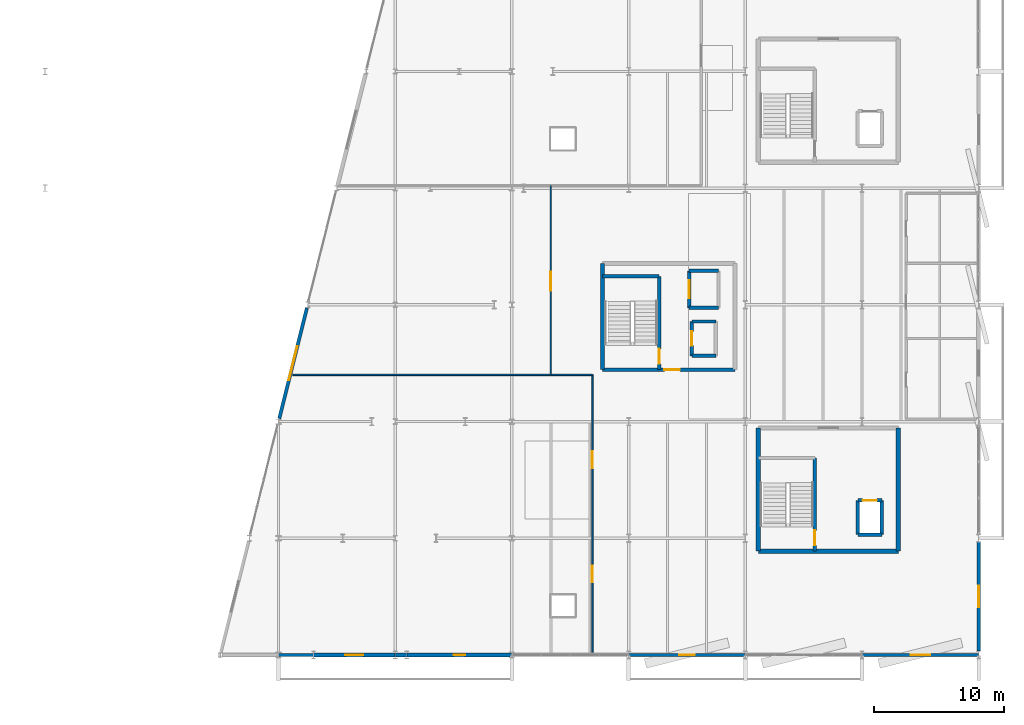
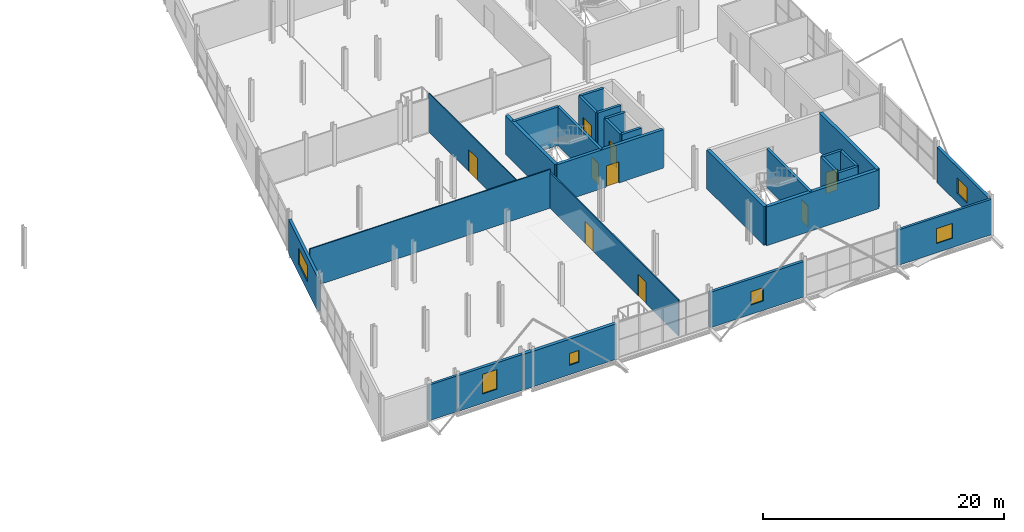
# One storey, part 86 of 103: 29 walls, 9 doors, 6 windows, 15 openings.
"""IFC4 building model written with IfcOpenShell, lengths in metres."""

from ifc_helpers import new_model, si_unit, direction, frame, frame_2d, origin, place, context, subcontext, project, spatial, rectangle, extrude, material, layer, layer_set, type_object, element, fill, save


model = new_model("IFC4")

# Units and contexts
model_context = context("Model", 3, precision=1e-05, world=origin(), true_north=direction((0.0, 1.0)))
body_context = subcontext(model_context, "Body", "Model", "MODEL_VIEW")
ifc_project = project(units=[si_unit("LENGTHUNIT", "METRE"), si_unit("AREAUNIT", "SQUARE_METRE"), si_unit("VOLUMEUNIT", "CUBIC_METRE"), si_unit("PLANEANGLEUNIT", "RADIAN"), si_unit("MASSUNIT", "GRAM", prefix="KILO")], contexts=[model_context])

# Site, building, storey
site_placement = place(None, origin())
site = spatial("IfcSite", under=ifc_project, at=site_placement, CompositionType="ELEMENT")
building_placement = place(site_placement, origin())
building = spatial("IfcBuilding", under=site, at=building_placement, Name="Deido Ridge Mobility Hub", CompositionType="ELEMENT")
storey_placement = place(building_placement, frame((0.0, 0.0, 12.60009765625)))
storey = spatial("IfcBuildingStorey", under=building, at=storey_placement, Name="L03", CompositionType="ELEMENT", Elevation=12.60009765625)

# Wall
ifc_material_1 = material(Name="Powder-coated aluminium cladding EN AW-3003", Category="aluminium")
ifc_layer_1 = layer(ifc_material_1, 0.22509765625, Name="Powder-coated aluminium cladding EN AW-3003")
ifc_layer_set_1 = layer_set([ifc_layer_1], Name="Powder-coated aluminium cladding EN AW-3003")
wall_type_1 = type_object("IfcWallType", Name="WL-EXT-ALU-225", PredefinedType="STANDARD", material=ifc_layer_set_1)
wall_1_placement = place(storey_placement, frame((126.0087890625, 0.0, 0.0), z_axis=(0.0, 0.0, 1.0), x_axis=(1.0, 0.0, 0.0)))
element("IfcWall", 1, at=wall_1_placement, inside=storey, type_object=wall_type_1, Name="Exterior wall EW6", PredefinedType="STANDARD", context=body_context, shape_type="SweptSolid", body=[
    extrude(rectangle(XDim=2.68359375, YDim=0.22509765625, at=frame_2d((1.341796875, 0.0))), origin(), (0.0, 0.0, 1.0), 3.6298828125),
])

# Wall, opening, window
wall_2_placement = place(storey_placement, frame((171.0078125, 0.0, 0.0), z_axis=(0.0, 0.0, 1.0), x_axis=(1.0, 0.0, 0.0)))
wall_2 = element("IfcWall", 2, at=wall_2_placement, inside=storey, type_object=wall_type_1, Name="Exterior wall EW6", PredefinedType="STANDARD", context=body_context, shape_type="SweptSolid", body=[
    extrude(rectangle(XDim=8.984375, YDim=0.22509765625, at=frame_2d((4.4921875, 0.0))), origin(), (0.0, 0.0, 1.0), 3.599853515625),
])
opening_1_placement = place(wall_2_placement, frame((3.7421875, 0.0, 0.949951171875)))
opening_1 = element("IfcOpeningElement", 3, at=opening_1_placement, cuts=wall_2, Name="Opening W5", PredefinedType="OPENING", context=body_context, shape_type="SweptSolid", body=[
    extrude(rectangle(XDim=1.5, YDim=1.5, at=frame_2d((0.75, 0.75))), frame((0.0, 0.12255859375, 0.0), z_axis=(0.0, -1.0, 0.0), x_axis=(1.0, 0.0, 0.0)), (0.0, 0.0, 1.0), 0.2451171875),
])
ifc_material_2 = material(Name="Laminated solar-control low-E glass", Category="glass")
window_type_1 = type_object("IfcWindowType", Name="WN-ALU-1500X1500", PartitioningType="SINGLE_PANEL", PredefinedType="WINDOW", material=ifc_material_2)
window_1_placement = place(opening_1_placement, origin())
window_1 = element("IfcWindow", 4, at=window_1_placement, inside=storey, type_object=window_type_1, Name="Exterior window W5", OverallHeight=1.5, OverallWidth=1.5, PartitioningType="SINGLE_PANEL", PredefinedType="WINDOW", context=body_context, shape_type="SweptSolid", body=[
    extrude(rectangle(XDim=1.5, YDim=1.5, at=frame_2d((0.75, 0.75))), frame((0.0, 0.030029296875, 0.0), z_axis=(0.0, -1.0, 0.0), x_axis=(1.0, 0.0, 0.0)), (0.0, 0.0, 1.0), 0.06005859375),
])
fill(opening_1, window_1)

ifc_material_3 = material(Name="Concrete blockwork masonry", Category="masonry")
ifc_layer_2 = layer(ifc_material_3, 0.264892578125, Name="Concrete blockwork masonry")
ifc_layer_set_2 = layer_set([ifc_layer_2], Name="Concrete blockwork masonry")
wall_type_2 = type_object("IfcWallType", Name="WL-EXT-BLK-265", PredefinedType="STANDARD", material=ifc_layer_set_2)
wall_3_placement = place(storey_placement, frame((153.0078125, 0.0, 0.0), z_axis=(0.0, 0.0, 1.0), x_axis=(1.0, 0.0, 0.0)))
wall_3 = element("IfcWall", 5, at=wall_3_placement, inside=storey, type_object=wall_type_2, Name="Exterior wall EW3", PredefinedType="STANDARD", context=body_context, shape_type="SweptSolid", body=[
    extrude(rectangle(XDim=8.984375, YDim=0.264892578125, at=frame_2d((4.4921875, 0.0))), origin(), (0.0, 0.0, 1.0), 3.599853515625),
])
opening_2_placement = place(wall_3_placement, frame((3.892333984375, 0.0, 0.949951171875)))
opening_2 = element("IfcOpeningElement", 6, at=opening_2_placement, cuts=wall_3, Name="Opening W3", PredefinedType="OPENING", context=body_context, shape_type="SweptSolid", body=[
    extrude(rectangle(XDim=1.199951171875, YDim=1.35009765625, at=frame_2d((0.60009765625, 0.675048828125))), frame((0.0, 0.142578125, 0.0), z_axis=(0.0, -1.0, 0.0), x_axis=(1.0, 0.0, 0.0)), (0.0, 0.0, 1.0), 0.284912109375),
])
window_type_2 = type_object("IfcWindowType", Name="WN-ALU-1200X1350", PartitioningType="SINGLE_PANEL", PredefinedType="WINDOW", material=ifc_material_2)
window_2_placement = place(opening_2_placement, origin())
window_2 = element("IfcWindow", 7, at=window_2_placement, inside=storey, type_object=window_type_2, Name="Exterior window W3", OverallHeight=1.35009765625, OverallWidth=1.199951171875, PartitioningType="SINGLE_PANEL", PredefinedType="WINDOW", context=body_context, shape_type="SweptSolid", body=[
    extrude(rectangle(XDim=1.199951171875, YDim=1.35009765625, at=frame_2d((0.60009765625, 0.675048828125))), frame((0.0, 0.030029296875, 0.0), z_axis=(0.0, -1.0, 0.0), x_axis=(1.0, 0.0, 0.0)), (0.0, 0.0, 1.0), 0.06005859375),
])
fill(opening_2, window_2)

ifc_material_4 = material(Name="Fired clay brick masonry", Category="masonry")
ifc_layer_3 = layer(ifc_material_4, 0.31005859375, Name="Fired clay brick masonry")
ifc_layer_set_3 = layer_set([ifc_layer_3], Name="Fired clay brick masonry")
wall_type_3 = type_object("IfcWallType", Name="WL-EXT-BRK-310", PredefinedType="STANDARD", material=ifc_layer_set_3)
wall_4_placement = place(storey_placement, frame((135.90771484375, 0.0, 0.0), z_axis=(0.0, 0.0, 1.0), x_axis=(1.0, 0.0, 0.0)))
wall_4 = element("IfcWall", 8, at=wall_4_placement, inside=storey, type_object=wall_type_3, Name="Exterior wall EW1", PredefinedType="STANDARD", context=body_context, shape_type="SweptSolid", body=[
    extrude(rectangle(XDim=8.08349609375, YDim=0.31005859375, at=frame_2d((4.041748046875, 0.0))), origin(), (0.0, 0.0, 1.0), 3.599853515625),
])
opening_3_placement = place(wall_4_placement, frame((3.591796875, 0.0, 0.949951171875)))
opening_3 = element("IfcOpeningElement", 9, at=opening_3_placement, cuts=wall_4, Name="Opening W1", PredefinedType="OPENING", context=body_context, shape_type="SweptSolid", body=[
    extrude(rectangle(XDim=0.89990234375, YDim=1.199951171875, at=frame_2d((0.449951171875, 0.60009765625))), frame((0.0, 0.1650390625, 0.0), z_axis=(0.0, -1.0, 0.0), x_axis=(1.0, 0.0, 0.0)), (0.0, 0.0, 1.0), 0.330078125),
])
window_type_3 = type_object("IfcWindowType", Name="WN-ALU-900X1200", PartitioningType="SINGLE_PANEL", PredefinedType="WINDOW", material=ifc_material_2)
window_3_placement = place(opening_3_placement, origin())
window_3 = element("IfcWindow", 10, at=window_3_placement, inside=storey, type_object=window_type_3, Name="Exterior window W1", OverallHeight=1.199951171875, OverallWidth=0.89990234375, PartitioningType="SINGLE_PANEL", PredefinedType="WINDOW", context=body_context, shape_type="SweptSolid", body=[
    extrude(rectangle(XDim=0.89990234375, YDim=1.199951171875, at=frame_2d((0.449951171875, 0.60009765625))), frame((0.0, 0.030029296875, 0.0), z_axis=(0.0, -1.0, 0.0), x_axis=(1.0, 0.0, 0.0)), (0.0, 0.0, 1.0), 0.06005859375),
])
fill(opening_3, window_3)

# Walls
ifc_material_5 = material(Name="Concrete C35/45", Category="concrete")
ifc_layer_4 = layer(ifc_material_5, 0.340087890625, Name="Concrete C35/45")
ifc_layer_set_4 = layer_set([ifc_layer_4], Name="Concrete C35/45")
wall_type_4 = type_object("IfcWallType", Name="WL-EXT-RC-340", PredefinedType="STANDARD", material=ifc_layer_set_4)
wall_5_placement = place(storey_placement, frame((135.0078125, 0.0, 0.0), z_axis=(0.0, 0.0, 1.0), x_axis=(1.0, 0.0, 0.0)))
element("IfcWall", 11, at=wall_5_placement, inside=storey, type_object=wall_type_4, Name="Exterior wall EW5", PredefinedType="STANDARD", context=body_context, shape_type="SweptSolid", body=[
    extrude(rectangle(XDim=0.884521484375, YDim=0.340087890625, at=frame_2d((0.4423828125, 0.0))), origin(), (0.0, 0.0, 1.0), 3.6298828125),
])
ifc_material_6 = material(Name="Treated tropical hardwood timber D40", Category="wood")
ifc_layer_5 = layer(ifc_material_6, 0.114990234375, Name="Treated tropical hardwood timber D40")
ifc_layer_set_5 = layer_set([ifc_layer_5], Name="Treated tropical hardwood timber D40")
wall_type_5 = type_object("IfcWallType", Name="WL-MOV-ACO-115", PredefinedType="MOVABLE", material=ifc_layer_set_5)
wall_6_placement = place(storey_placement, frame((127.10009765625, 21.60009765625, 0.0), z_axis=(0.0, 0.0, 1.0), x_axis=(1.0, 0.0, 0.0)))
element("IfcWall", 12, at=wall_6_placement, inside=storey, type_object=wall_type_5, Name="V6 south-central cross wall (L03)", PredefinedType="MOVABLE", context=body_context, shape_type="SweptSolid", body=[
    extrude(rectangle(XDim=23.099853515625, YDim=0.114990234375, at=frame_2d((11.5498046875, 0.0))), origin(), (0.0, 0.0, 1.0), 3.9248046875),
])

# Wall, opening, window
ifc_layer_6 = layer(ifc_material_3, 0.2548828125, Name="Concrete blockwork masonry")
ifc_layer_set_6 = layer_set([ifc_layer_6], Name="Concrete blockwork masonry")
wall_type_6 = type_object("IfcWallType", Name="WL-PLG-BLK-255", PredefinedType="POLYGONAL", material=ifc_layer_set_6)
wall_7_placement = place(storey_placement, frame((126.05810546875, 18.23193359375, 0.0), z_axis=(0.0, 0.0, 1.0), x_axis=(0.242522544412, 0.970145770208, 0.0)))
wall_7 = element("IfcWall", 13, at=wall_7_placement, inside=storey, type_object=wall_type_6, Name="Exterior wall PGW2", PredefinedType="POLYGONAL", context=body_context, shape_type="SweptSolid", body=[
    extrude(rectangle(XDim=8.783203125, YDim=0.2548828125, at=frame_2d((4.3916015625, 0.0))), origin(), (0.0, 0.0, 1.0), 3.449951171875),
])
opening_4_placement = place(wall_7_placement, frame((3.04150390625, 0.0, 0.949951171875)))
opening_4 = element("IfcOpeningElement", 14, at=opening_4_placement, cuts=wall_7, Name="Opening W13", PredefinedType="OPENING", context=body_context, shape_type="SweptSolid", body=[
    extrude(rectangle(XDim=2.699951171875, YDim=1.60009765625, at=frame_2d((1.35009765625, 0.800048828125))), frame((0.0, 0.137451171875, 0.0), z_axis=(0.0, -1.0, 0.0), x_axis=(1.0, 0.0, 0.0)), (0.0, 0.0, 1.0), 0.27490234375),
])
window_type_4 = type_object("IfcWindowType", Name="WN-ALU-2700X1600", PartitioningType="DOUBLE_PANEL_VERTICAL", PredefinedType="WINDOW", material=ifc_material_2)
window_4_placement = place(opening_4_placement, origin())
window_4 = element("IfcWindow", 15, at=window_4_placement, inside=storey, type_object=window_type_4, Name="Exterior window W13", OverallHeight=1.60009765625, OverallWidth=2.699951171875, PartitioningType="SINGLE_PANEL", PredefinedType="WINDOW", context=body_context, shape_type="SweptSolid", body=[
    extrude(rectangle(XDim=2.699951171875, YDim=1.60009765625, at=frame_2d((1.35009765625, 0.800048828125))), frame((0.0, 0.030029296875, 0.0), z_axis=(0.0, -1.0, 0.0), x_axis=(1.0, 0.0, 0.0)), (0.0, 0.0, 1.0), 0.06005859375),
])
fill(opening_4, window_4)

ifc_layer_7 = layer(ifc_material_4, 0.27490234375, Name="Fired clay brick masonry")
ifc_layer_set_7 = layer_set([ifc_layer_7], Name="Fired clay brick masonry")
wall_type_7 = type_object("IfcWallType", Name="WL-PLG-BRK-275", PredefinedType="POLYGONAL", material=ifc_layer_set_7)
wall_8_placement = place(storey_placement, frame((128.707763671875, 0.0, 0.0), z_axis=(0.0, 0.0, 1.0), x_axis=(1.0, 0.0, 0.0)))
wall_8 = element("IfcWall", 16, at=wall_8_placement, inside=storey, type_object=wall_type_7, Name="Exterior wall PGW1", PredefinedType="POLYGONAL", context=body_context, shape_type="SweptSolid", body=[
    extrude(rectangle(XDim=6.284423828125, YDim=0.27490234375, at=frame_2d((3.14208984375, 0.0))), origin(), (0.0, 0.0, 1.0), 3.6298828125),
])
opening_5_placement = place(wall_8_placement, frame((2.4423828125, 0.0, 0.949951171875)))
opening_5 = element("IfcOpeningElement", 17, at=opening_5_placement, cuts=wall_8, Name="Opening W21", PredefinedType="OPENING", context=body_context, shape_type="SweptSolid", body=[
    extrude(rectangle(XDim=1.39990234375, YDim=2.0, at=frame_2d((0.699951171875, 1.0))), frame((0.0, 0.1474609375, 0.0), z_axis=(0.0, -1.0, 0.0), x_axis=(1.0, 0.0, 0.0)), (0.0, 0.0, 1.0), 0.294921875),
])
window_type_5 = type_object("IfcWindowType", Name="WN-ALU-1400X2000", PartitioningType="SINGLE_PANEL", PredefinedType="WINDOW", material=ifc_material_2)
window_5_placement = place(opening_5_placement, origin())
window_5 = element("IfcWindow", 18, at=window_5_placement, inside=storey, type_object=window_type_5, Name="Exterior window W21", OverallHeight=2.0, OverallWidth=1.39990234375, PartitioningType="SINGLE_PANEL", PredefinedType="WINDOW", context=body_context, shape_type="SweptSolid", body=[
    extrude(rectangle(XDim=1.39990234375, YDim=2.0, at=frame_2d((0.699951171875, 1.0))), frame((0.0, 0.030029296875, 0.0), z_axis=(0.0, -1.0, 0.0), x_axis=(1.0, 0.0, 0.0)), (0.0, 0.0, 1.0), 0.06005859375),
])
fill(opening_5, window_5)

wall_9_placement = place(storey_placement, frame((180.0, 0.300048828125, 0.0), z_axis=(0.0, 0.0, 1.0), x_axis=(0.0, 1.0, 0.0)))
wall_9 = element("IfcWall", 19, at=wall_9_placement, inside=storey, type_object=wall_type_7, Name="Exterior wall PGW1", PredefinedType="POLYGONAL", context=body_context, shape_type="SweptSolid", body=[
    extrude(rectangle(XDim=8.39990234375, YDim=0.27490234375, at=frame_2d((4.199951171875, 0.0))), origin(), (0.0, 0.0, 1.0), 3.599853515625),
])
opening_6_placement = place(wall_9_placement, frame((3.375, 0.0, 0.949951171875)))
opening_6 = element("IfcOpeningElement", 20, at=opening_6_placement, cuts=wall_9, Name="Opening W6", PredefinedType="OPENING", context=body_context, shape_type="SweptSolid", body=[
    extrude(rectangle(XDim=1.64990234375, YDim=1.550048828125, at=frame_2d((0.824951171875, 0.77490234375))), frame((0.0, 0.1474609375, 0.0), z_axis=(0.0, -1.0, 0.0), x_axis=(1.0, 0.0, 0.0)), (0.0, 0.0, 1.0), 0.294921875),
])
window_type_6 = type_object("IfcWindowType", Name="WN-ALU-1650X1550", PartitioningType="SINGLE_PANEL", PredefinedType="WINDOW", material=ifc_material_2)
window_6_placement = place(opening_6_placement, origin())
window_6 = element("IfcWindow", 21, at=window_6_placement, inside=storey, type_object=window_type_6, Name="Exterior window W6", OverallHeight=1.550048828125, OverallWidth=1.64990234375, PartitioningType="SINGLE_PANEL", PredefinedType="WINDOW", context=body_context, shape_type="SweptSolid", body=[
    extrude(rectangle(XDim=1.64990234375, YDim=1.550048828125, at=frame_2d((0.824951171875, 0.77490234375))), frame((0.0, 0.030029296875, 0.0), z_axis=(0.0, -1.0, 0.0), x_axis=(1.0, 0.0, 0.0)), (0.0, 0.0, 1.0), 0.06005859375),
])
fill(opening_6, window_6)

# Wall, opening, door
ifc_layer_8 = layer(ifc_material_3, 0.10009765625, Name="Concrete blockwork masonry")
ifc_layer_set_8 = layer_set([ifc_layer_8], Name="Concrete blockwork masonry")
wall_type_8 = type_object("IfcWallType", Name="WL-PRT-BLK-100", PredefinedType="PARTITIONING", material=ifc_layer_set_8)
wall_10_placement = place(storey_placement, frame((147.0, 21.60009765625, 0.0), z_axis=(0.0, 0.0, 1.0), x_axis=(0.0, 1.0, 0.0)))
wall_10 = element("IfcWall", 22, at=wall_10_placement, inside=storey, type_object=wall_type_8, Name="V6 central room wall (L03)", PredefinedType="PARTITIONING", context=body_context, shape_type="SweptSolid", body=[
    extrude(rectangle(XDim=14.599853515625, YDim=0.10009765625, at=frame_2d((7.2998046875, 0.0))), origin(), (0.0, 0.0, 1.0), 3.9248046875),
])
opening_7_placement = place(wall_10_placement, frame((6.5, 0.0, 0.0)))
opening_7 = element("IfcOpeningElement", 23, at=opening_7_placement, cuts=wall_10, Name="Opening DR-L03-170", PredefinedType="OPENING", context=body_context, shape_type="SweptSolid", body=[
    extrude(rectangle(XDim=1.449951171875, YDim=2.219970703125, at=frame_2d((0.72509765625, 1.10986328125))), frame((0.0, 0.06005859375, 0.0), z_axis=(0.0, -1.0, 0.0), x_axis=(1.0, 0.0, 0.0)), (0.0, 0.0, 1.0), 0.1201171875),
])
door_type_1 = type_object("IfcDoorType", Name="DR-INT-1450X2220", OperationType="DOUBLE_DOOR_SINGLE_SWING", PredefinedType="DOOR", material=ifc_material_6)
door_1_placement = place(opening_7_placement, origin())
door_1 = element("IfcDoor", 24, at=door_1_placement, inside=storey, type_object=door_type_1, Name="DR-I0170 V6 central room door (L03)", OperationType="DOUBLE_DOOR_SINGLE_SWING", OverallHeight=2.219970703125, OverallWidth=1.449951171875, PredefinedType="DOOR", context=body_context, shape_type="SweptSolid", body=[
    extrude(rectangle(XDim=1.449951171875, YDim=2.219970703125, at=frame_2d((0.72509765625, 1.10986328125))), frame((0.0, 0.02490234375, 0.0), z_axis=(0.0, -1.0, 0.0), x_axis=(1.0, 0.0, 0.0)), (0.0, 0.0, 1.0), 0.050048828125),
])
fill(opening_7, door_1)

# Wall, openings, doors
ifc_layer_9 = layer(ifc_material_3, 0.1201171875, Name="Concrete blockwork masonry")
ifc_layer_set_9 = layer_set([ifc_layer_9], Name="Concrete blockwork masonry")
wall_type_9 = type_object("IfcWallType", Name="WL-PRT-BLK-120", PredefinedType="PARTITIONING", material=ifc_layer_set_9)
wall_11_placement = place(storey_placement, frame((150.199951171875, 0.199951171875, 0.0), z_axis=(0.0, 0.0, 1.0), x_axis=(0.0, 1.0, 0.0)))
wall_11 = element("IfcWall", 25, at=wall_11_placement, inside=storey, type_object=wall_type_9, Name="V6 south-west suite wall (L03)", PredefinedType="PARTITIONING", context=body_context, shape_type="SweptSolid", body=[
    extrude(rectangle(XDim=21.400146484375, YDim=0.1201171875, at=frame_2d((10.7001953125, 0.0))), origin(), (0.0, 0.0, 1.0), 3.6298828125),
])
opening_8_placement = place(wall_11_placement, frame((5.39990234375, 0.0, 0.0)))
opening_8 = element("IfcOpeningElement", 26, at=opening_8_placement, cuts=wall_11, Name="Opening DR-L03-168", PredefinedType="OPENING", context=body_context, shape_type="SweptSolid", body=[
    extrude(rectangle(XDim=1.280029296875, YDim=2.179931640625, at=frame_2d((0.64013671875, 1.08984375))), frame((0.0, 0.070068359375, 0.0), z_axis=(0.0, -1.0, 0.0), x_axis=(1.0, 0.0, 0.0)), (0.0, 0.0, 1.0), 0.14013671875),
])
opening_9_placement = place(wall_11_placement, frame((14.199951171875, 0.0, 0.0)))
opening_9 = element("IfcOpeningElement", 27, at=opening_9_placement, cuts=wall_11, Name="Opening DR-L03-169", PredefinedType="OPENING", context=body_context, shape_type="SweptSolid", body=[
    extrude(rectangle(XDim=1.320068359375, YDim=2.199951171875, at=frame_2d((0.66015625, 1.10009765625))), frame((0.0, 0.070068359375, 0.0), z_axis=(0.0, -1.0, 0.0), x_axis=(1.0, 0.0, 0.0)), (0.0, 0.0, 1.0), 0.14013671875),
])
door_type_2 = type_object("IfcDoorType", Name="DR-INT-1280X2180", OperationType="NOTDEFINED", PredefinedType="DOOR", material=ifc_material_6)
door_2_placement = place(opening_8_placement, origin())
door_2 = element("IfcDoor", 28, at=door_2_placement, inside=storey, type_object=door_type_2, Name="DR-I0168 V6 south-west suite door 1 (L03)", OperationType="SINGLE_SWING_RIGHT", OverallHeight=2.179931640625, OverallWidth=1.280029296875, PredefinedType="DOOR", context=body_context, shape_type="SweptSolid", body=[
    extrude(rectangle(XDim=1.280029296875, YDim=2.179931640625, at=frame_2d((0.64013671875, 1.08984375))), frame((0.0, 0.02490234375, 0.0), z_axis=(0.0, -1.0, 0.0), x_axis=(1.0, 0.0, 0.0)), (0.0, 0.0, 1.0), 0.050048828125),
])
fill(opening_8, door_2)
door_type_3 = type_object("IfcDoorType", Name="DR-INT-1320X2200", OperationType="NOTDEFINED", PredefinedType="DOOR", material=ifc_material_6)
door_3_placement = place(opening_9_placement, origin())
door_3 = element("IfcDoor", 29, at=door_3_placement, inside=storey, type_object=door_type_3, Name="DR-I0169 V6 south-west suite door 2 (L03)", OperationType="SINGLE_SWING_LEFT", OverallHeight=2.199951171875, OverallWidth=1.320068359375, PredefinedType="DOOR", context=body_context, shape_type="SweptSolid", body=[
    extrude(rectangle(XDim=1.320068359375, YDim=2.199951171875, at=frame_2d((0.66015625, 1.10009765625))), frame((0.0, 0.02490234375, 0.0), z_axis=(0.0, -1.0, 0.0), x_axis=(1.0, 0.0, 0.0)), (0.0, 0.0, 1.0), 0.050048828125),
])
fill(opening_9, door_3)

# Wall, opening, door
ifc_material_7 = material(Name="Concrete C40/50", Category="concrete")
ifc_layer_10 = layer(ifc_material_7, 0.25, Name="Concrete C40/50")
ifc_layer_set_10 = layer_set([ifc_layer_10], Name="Concrete C40/50")
wall_type_10 = type_object("IfcWallType", Name="WL-SHR-RC-250", PredefinedType="SHEAR", material=ifc_layer_set_10)
wall_12_placement = place(storey_placement, frame((167.360107421875, 8.0, 0.0), z_axis=(0.0, 0.0, 1.0), x_axis=(0.0, 1.0, 0.0)))
wall_12 = element("IfcWall", 30, at=wall_12_placement, inside=storey, type_object=wall_type_10, Name="C1 stair shaft east wall", PredefinedType="SHEAR", context=body_context, shape_type="SweptSolid", body=[
    extrude(rectangle(XDim=7.199951171875, YDim=0.25, at=frame_2d((3.60009765625, 0.0))), origin(), (0.0, 0.0, 1.0), 3.9248046875),
])
opening_10_placement = place(wall_12_placement, frame((0.449951171875, 0.0, 0.0)))
opening_10 = element("IfcOpeningElement", 31, at=opening_10_placement, cuts=wall_12, Name="Opening FD-C1-L03", PredefinedType="OPENING", context=body_context, shape_type="SweptSolid", body=[
    extrude(rectangle(XDim=1.14990234375, YDim=2.14990234375, at=frame_2d((0.574951171875, 1.074951171875))), frame((0.0, 0.135009765625, 0.0), z_axis=(0.0, -1.0, 0.0), x_axis=(1.0, 0.0, 0.0)), (0.0, 0.0, 1.0), 0.27001953125),
])
ifc_material_8 = material(Name="Galvanised steel work", Category="steel")
door_type_4 = type_object("IfcDoorType", Name="DR-FD60-1150X2150", OperationType="NOTDEFINED", PredefinedType="DOOR", material=ifc_material_8)
door_4_placement = place(opening_10_placement, origin())
door_4 = element("IfcDoor", 32, at=door_4_placement, inside=storey, type_object=door_type_4, Name="DR-I0013 C1 protected stair door (L03)", OperationType="SINGLE_SWING_LEFT", OverallHeight=2.14990234375, OverallWidth=1.14990234375, PredefinedType="DOOR", context=body_context, shape_type="SweptSolid", body=[
    extrude(rectangle(XDim=1.14990234375, YDim=2.14990234375, at=frame_2d((0.574951171875, 1.074951171875))), frame((0.0, 0.02490234375, 0.0), z_axis=(0.0, -1.0, 0.0), x_axis=(1.0, 0.0, 0.0)), (0.0, 0.0, 1.0), 0.050048828125),
])
fill(opening_10, door_4)

# Walls
wall_13_placement = place(storey_placement, frame((170.675048828125, 9.27490234375, 0.0), z_axis=(0.0, 0.0, 1.0), x_axis=(1.0, 0.0, 0.0)))
element("IfcWall", 33, at=wall_13_placement, inside=storey, type_object=wall_type_10, Name="Lift FL1 rear shaft wall", PredefinedType="SHEAR", context=body_context, shape_type="SweptSolid", body=[
    extrude(rectangle(XDim=1.849853515625, YDim=0.25, at=frame_2d((0.9248046875, 0.0))), origin(), (0.0, 0.0, 1.0), 3.9248046875),
])
for number, where, z_axis, x_axis, name in (
    (34, (170.675048828125, 9.27490234375, 0.0), (0.0, 0.0, 1.0), (0.0, 1.0, 0.0), "Lift FL1 west shaft wall"),
    (35, (172.52490234375, 9.27490234375, 0.0), (0.0, 0.0, 1.0), (0.0, 1.0, 0.0), "Lift FL1 east shaft wall"),
):
    element("IfcWall", number, at=place(storey_placement, frame(where, z_axis=z_axis, x_axis=x_axis)), inside=storey, type_object=wall_type_10, Name=name, PredefinedType="SHEAR", context=body_context, shape_type="SweptSolid", body=[
        extrude(rectangle(XDim=2.650146484375, YDim=0.25, at=frame_2d((1.3251953125, 0.0))), origin(), (0.0, 0.0, 1.0), 3.9248046875),
    ])

# Wall, opening, door
wall_14_placement = place(storey_placement, frame((170.675048828125, 11.925048828125, 0.0), z_axis=(0.0, 0.0, 1.0), x_axis=(1.0, 0.0, 0.0)))
wall_14 = element("IfcWall", 36, at=wall_14_placement, inside=storey, type_object=wall_type_10, Name="Lift FL1 landing wall", PredefinedType="SHEAR", context=body_context, shape_type="SweptSolid", body=[
    extrude(rectangle(XDim=1.849853515625, YDim=0.25, at=frame_2d((0.9248046875, 0.0))), origin(), (0.0, 0.0, 1.0), 3.9248046875),
])
opening_11_placement = place(wall_14_placement, frame((0.375, 0.0, 0.0)))
opening_11 = element("IfcOpeningElement", 37, at=opening_11_placement, cuts=wall_14, Name="Opening LD-FL1", PredefinedType="OPENING", context=body_context, shape_type="SweptSolid", body=[
    extrude(rectangle(XDim=1.10009765625, YDim=2.14990234375, at=frame_2d((0.550048828125, 1.074951171875))), frame((0.0, 0.135009765625, 0.0), z_axis=(0.0, -1.0, 0.0), x_axis=(1.0, 0.0, 0.0)), (0.0, 0.0, 1.0), 0.27001953125),
])
ifc_material_9 = material(Name="Stainless steel 316", Category="steel")
door_type_5 = type_object("IfcDoorType", Name="DR-LND-PAS-1100X2150", OperationType="DOUBLE_DOOR_SLIDING", PredefinedType="USERDEFINED", material=ifc_material_9)
door_5_placement = place(opening_11_placement, origin())
door_5 = element("IfcDoor", 38, at=door_5_placement, inside=storey, type_object=door_type_5, Name="DR-I0015 Lift FL1 sliding landing door (L03)", ObjectType="LANDING DOOR", OperationType="DOUBLE_DOOR_SLIDING", OverallHeight=2.14990234375, OverallWidth=1.10009765625, PredefinedType="USERDEFINED", context=body_context, shape_type="SweptSolid", body=[
    extrude(rectangle(XDim=1.10009765625, YDim=2.14990234375, at=frame_2d((0.550048828125, 1.074951171875))), frame((0.0, 0.02490234375, 0.0), z_axis=(0.0, -1.0, 0.0), x_axis=(1.0, 0.0, 0.0)), (0.0, 0.0, 1.0), 0.050048828125),
])
fill(opening_11, door_5)

wall_15_placement = place(storey_placement, frame((155.360107421875, 22.0, 0.0), z_axis=(0.0, 0.0, 1.0), x_axis=(0.0, 1.0, 0.0)))
wall_15 = element("IfcWall", 39, at=wall_15_placement, inside=storey, type_object=wall_type_10, Name="C3 stair shaft east wall", PredefinedType="SHEAR", context=body_context, shape_type="SweptSolid", body=[
    extrude(rectangle(XDim=7.199951171875, YDim=0.25, at=frame_2d((3.60009765625, 0.0))), origin(), (0.0, 0.0, 1.0), 3.9248046875),
])
opening_12_placement = place(wall_15_placement, frame((0.449951171875, 0.0, 0.0)))
opening_12 = element("IfcOpeningElement", 40, at=opening_12_placement, cuts=wall_15, Name="Opening FD-C3-L03", PredefinedType="OPENING", context=body_context, shape_type="SweptSolid", body=[
    extrude(rectangle(XDim=1.14990234375, YDim=2.14990234375, at=frame_2d((0.574951171875, 1.074951171875))), frame((0.0, 0.135009765625, 0.0), z_axis=(0.0, -1.0, 0.0), x_axis=(1.0, 0.0, 0.0)), (0.0, 0.0, 1.0), 0.27001953125),
])
door_6_placement = place(opening_12_placement, origin())
door_6 = element("IfcDoor", 41, at=door_6_placement, inside=storey, type_object=door_type_4, Name="DR-I0065 C3 protected stair door (L03)", OperationType="SINGLE_SWING_LEFT", OverallHeight=2.14990234375, OverallWidth=1.14990234375, PredefinedType="DOOR", context=body_context, shape_type="SweptSolid", body=[
    extrude(rectangle(XDim=1.14990234375, YDim=2.14990234375, at=frame_2d((0.574951171875, 1.074951171875))), frame((0.0, 0.02490234375, 0.0), z_axis=(0.0, -1.0, 0.0), x_axis=(1.0, 0.0, 0.0)), (0.0, 0.0, 1.0), 0.050048828125),
])
fill(opening_12, door_6)

# Walls
wall_16_placement = place(storey_placement, frame((151.0, 29.199951171875, 0.0), z_axis=(0.0, 0.0, 1.0), x_axis=(1.0, 0.0, 0.0)))
element("IfcWall", 42, at=wall_16_placement, inside=storey, type_object=wall_type_10, Name="C3 stair shaft north wall", PredefinedType="SHEAR", context=body_context, shape_type="SweptSolid", body=[
    extrude(rectangle(XDim=4.360107421875, YDim=0.25, at=frame_2d((2.18017578125, 0.0))), origin(), (0.0, 0.0, 1.0), 3.9248046875),
])
for number, where, z_axis, x_axis, name in (
    (43, (157.875, 23.074951171875, 0.0), (0.0, 0.0, 1.0), (1.0, 0.0, 0.0), "Lift PL1 south shaft wall"),
    (44, (157.875, 25.72509765625, 0.0), (0.0, 0.0, 1.0), (1.0, 0.0, 0.0), "Lift PL1 north shaft wall"),
):
    element("IfcWall", number, at=place(storey_placement, frame(where, z_axis=z_axis, x_axis=x_axis)), inside=storey, type_object=wall_type_10, Name=name, PredefinedType="SHEAR", context=body_context, shape_type="SweptSolid", body=[
        extrude(rectangle(XDim=1.85009765625, YDim=0.25, at=frame_2d((0.925048828125, 0.0))), origin(), (0.0, 0.0, 1.0), 3.9248046875),
    ])

# Wall, opening, door
wall_17_placement = place(storey_placement, frame((157.875, 23.074951171875, 0.0), z_axis=(0.0, 0.0, 1.0), x_axis=(0.0, 1.0, 0.0)))
wall_17 = element("IfcWall", 45, at=wall_17_placement, inside=storey, type_object=wall_type_10, Name="Lift PL1 landing wall", PredefinedType="SHEAR", context=body_context, shape_type="SweptSolid", body=[
    extrude(rectangle(XDim=2.650146484375, YDim=0.25, at=frame_2d((1.3251953125, 0.0))), origin(), (0.0, 0.0, 1.0), 3.9248046875),
])
opening_13_placement = place(wall_17_placement, frame((0.77490234375, 0.0, 0.0)))
opening_13 = element("IfcOpeningElement", 46, at=opening_13_placement, cuts=wall_17, Name="Opening LD-PL1", PredefinedType="OPENING", context=body_context, shape_type="SweptSolid", body=[
    extrude(rectangle(XDim=1.10009765625, YDim=2.14990234375, at=frame_2d((0.550048828125, 1.074951171875))), frame((0.0, 0.135009765625, 0.0), z_axis=(0.0, -1.0, 0.0), x_axis=(1.0, 0.0, 0.0)), (0.0, 0.0, 1.0), 0.27001953125),
])
door_7_placement = place(opening_13_placement, origin())
door_7 = element("IfcDoor", 47, at=door_7_placement, inside=storey, type_object=door_type_5, Name="DR-I0067 Lift PL1 sliding landing door (L03)", ObjectType="LANDING DOOR", OperationType="DOUBLE_DOOR_SLIDING", OverallHeight=2.14990234375, OverallWidth=1.10009765625, PredefinedType="USERDEFINED", context=body_context, shape_type="SweptSolid", body=[
    extrude(rectangle(XDim=1.10009765625, YDim=2.14990234375, at=frame_2d((0.550048828125, 1.074951171875))), frame((0.0, 0.02490234375, 0.0), z_axis=(0.0, -1.0, 0.0), x_axis=(1.0, 0.0, 0.0)), (0.0, 0.0, 1.0), 0.050048828125),
])
fill(opening_13, door_7)

# Walls
for number, where, z_axis, x_axis, name in (
    (48, (157.675048828125, 26.77490234375, 0.0), (0.0, 0.0, 1.0), (1.0, 0.0, 0.0), "Lift GL1 south shaft wall"),
    (49, (157.675048828125, 29.625, 0.0), (0.0, 0.0, 1.0), (1.0, 0.0, 0.0), "Lift GL1 north shaft wall"),
):
    element("IfcWall", number, at=place(storey_placement, frame(where, z_axis=z_axis, x_axis=x_axis)), inside=storey, type_object=wall_type_10, Name=name, PredefinedType="SHEAR", context=body_context, shape_type="SweptSolid", body=[
        extrude(rectangle(XDim=2.25, YDim=0.25, at=frame_2d((1.125, 0.0))), origin(), (0.0, 0.0, 1.0), 3.9248046875),
    ])

# Wall, opening, door
wall_18_placement = place(storey_placement, frame((157.675048828125, 26.77490234375, 0.0), z_axis=(0.0, 0.0, 1.0), x_axis=(0.0, 1.0, 0.0)))
wall_18 = element("IfcWall", 50, at=wall_18_placement, inside=storey, type_object=wall_type_10, Name="Lift GL1 landing wall", PredefinedType="SHEAR", context=body_context, shape_type="SweptSolid", body=[
    extrude(rectangle(XDim=2.85009765625, YDim=0.25, at=frame_2d((1.425048828125, 0.0))), origin(), (0.0, 0.0, 1.0), 3.9248046875),
])
opening_14_placement = place(wall_18_placement, frame((0.72509765625, 0.0, 0.0)))
opening_14 = element("IfcOpeningElement", 51, at=opening_14_placement, cuts=wall_18, Name="Opening LD-GL1", PredefinedType="OPENING", context=body_context, shape_type="SweptSolid", body=[
    extrude(rectangle(XDim=1.39990234375, YDim=2.199951171875, at=frame_2d((0.699951171875, 1.10009765625))), frame((0.0, 0.135009765625, 0.0), z_axis=(0.0, -1.0, 0.0), x_axis=(1.0, 0.0, 0.0)), (0.0, 0.0, 1.0), 0.27001953125),
])
door_type_6 = type_object("IfcDoorType", Name="DR-LND-GDS-1400X2200", OperationType="DOUBLE_DOOR_SLIDING", PredefinedType="USERDEFINED", material=ifc_material_9)
door_8_placement = place(opening_14_placement, origin())
door_8 = element("IfcDoor", 52, at=door_8_placement, inside=storey, type_object=door_type_6, Name="DR-I0068 Lift GL1 sliding landing door (L03)", ObjectType="LANDING DOOR", OperationType="DOUBLE_DOOR_SLIDING", OverallHeight=2.199951171875, OverallWidth=1.39990234375, PredefinedType="USERDEFINED", context=body_context, shape_type="SweptSolid", body=[
    extrude(rectangle(XDim=1.39990234375, YDim=2.199951171875, at=frame_2d((0.699951171875, 1.10009765625))), frame((0.0, 0.02490234375, 0.0), z_axis=(0.0, -1.0, 0.0), x_axis=(1.0, 0.0, 0.0)), (0.0, 0.0, 1.0), 0.050048828125),
])
fill(opening_14, door_8)

ifc_layer_11 = layer(ifc_material_7, 0.300048828125, Name="Concrete C40/50")
ifc_layer_set_11 = layer_set([ifc_layer_11], Name="Concrete C40/50")
wall_type_11 = type_object("IfcWallType", Name="WL-SHR-RC-300", PredefinedType="SHEAR", material=ifc_layer_set_11)
wall_19_placement = place(storey_placement, frame((151.0, 22.0, 0.0), z_axis=(0.0, 0.0, 1.0), x_axis=(1.0, 0.0, 0.0)))
wall_19 = element("IfcWall", 53, at=wall_19_placement, inside=storey, type_object=wall_type_11, Name="C3 south shear wall", PredefinedType="SHEAR", context=body_context, shape_type="SweptSolid", body=[
    extrude(rectangle(XDim=10.199951171875, YDim=0.300048828125, at=frame_2d((5.10009765625, 0.0))), origin(), (0.0, 0.0, 1.0), 3.9248046875),
])
opening_15_placement = place(wall_19_placement, frame((4.75, 0.0, 0.0)))
opening_15 = element("IfcOpeningElement", 54, at=opening_15_placement, cuts=wall_19, Name="Opening LD-C3-066", PredefinedType="OPENING", context=body_context, shape_type="SweptSolid", body=[
    extrude(rectangle(XDim=1.199951171875, YDim=2.14990234375, at=frame_2d((0.60009765625, 1.074951171875))), frame((0.0, 0.16015625, 0.0), z_axis=(0.0, -1.0, 0.0), x_axis=(1.0, 0.0, 0.0)), (0.0, 0.0, 1.0), 0.320068359375),
])
door_type_7 = type_object("IfcDoorType", Name="DR-FD60-1200X2150", OperationType="NOTDEFINED", PredefinedType="DOOR", material=ifc_material_8)
door_9_placement = place(opening_15_placement, origin())
door_9 = element("IfcDoor", 55, at=door_9_placement, inside=storey, type_object=door_type_7, Name="DR-I0066 C3 lift lobby door (L03)", OperationType="SINGLE_SWING_RIGHT", OverallHeight=2.14990234375, OverallWidth=1.199951171875, PredefinedType="DOOR", context=body_context, shape_type="SweptSolid", body=[
    extrude(rectangle(XDim=1.199951171875, YDim=2.14990234375, at=frame_2d((0.60009765625, 1.074951171875))), frame((0.0, 0.02490234375, 0.0), z_axis=(0.0, -1.0, 0.0), x_axis=(1.0, 0.0, 0.0)), (0.0, 0.0, 1.0), 0.050048828125),
])
fill(opening_15, door_9)

# Walls
wall_20_placement = place(storey_placement, frame((151.0, 30.199951171875, 0.0), z_axis=(0.0, 0.0, 1.0), x_axis=(0.0, -1.0, 0.0)))
element("IfcWall", 56, at=wall_20_placement, inside=storey, type_object=wall_type_11, Name="C3 west shear wall", PredefinedType="SHEAR", context=body_context, shape_type="SweptSolid", body=[
    extrude(rectangle(XDim=8.199951171875, YDim=0.300048828125, at=frame_2d((4.10009765625, 0.0))), origin(), (0.0, 0.0, 1.0), 3.9248046875),
])
ifc_layer_12 = layer(ifc_material_7, 0.324951171875, Name="Concrete C40/50")
ifc_layer_set_12 = layer_set([ifc_layer_12], Name="Concrete C40/50")
wall_type_12 = type_object("IfcWallType", Name="WL-SHR-RC-325", PredefinedType="SHEAR", material=ifc_layer_set_12)
wall_21_placement = place(storey_placement, frame((163.0, 8.0, 0.0), z_axis=(0.0, 0.0, 1.0), x_axis=(1.0, 0.0, 0.0)))
element("IfcWall", 57, at=wall_21_placement, inside=storey, type_object=wall_type_12, Name="C1 south shear wall", PredefinedType="SHEAR", context=body_context, shape_type="SweptSolid", body=[
    extrude(rectangle(XDim=10.800048828125, YDim=0.324951171875, at=frame_2d((5.39990234375, 0.0))), origin(), (0.0, 0.0, 1.0), 3.9248046875),
])
for number, where, z_axis, x_axis, name in (
    (58, (173.800048828125, 8.0, 0.0), (0.0, 0.0, 1.0), (0.0, 1.0, 0.0), "C1 east shear wall"),
    (59, (163.0, 17.5, 0.0), (0.0, 0.0, 1.0), (0.0, -1.0, 0.0), "C1 west shear wall"),
):
    element("IfcWall", number, at=place(storey_placement, frame(where, z_axis=z_axis, x_axis=x_axis)), inside=storey, type_object=wall_type_12, Name=name, PredefinedType="SHEAR", context=body_context, shape_type="SweptSolid", body=[
        extrude(rectangle(XDim=9.5, YDim=0.324951171875, at=frame_2d((4.75, 0.0))), origin(), (0.0, 0.0, 1.0), 3.9248046875),
    ])

save(model, "model.ifc")
